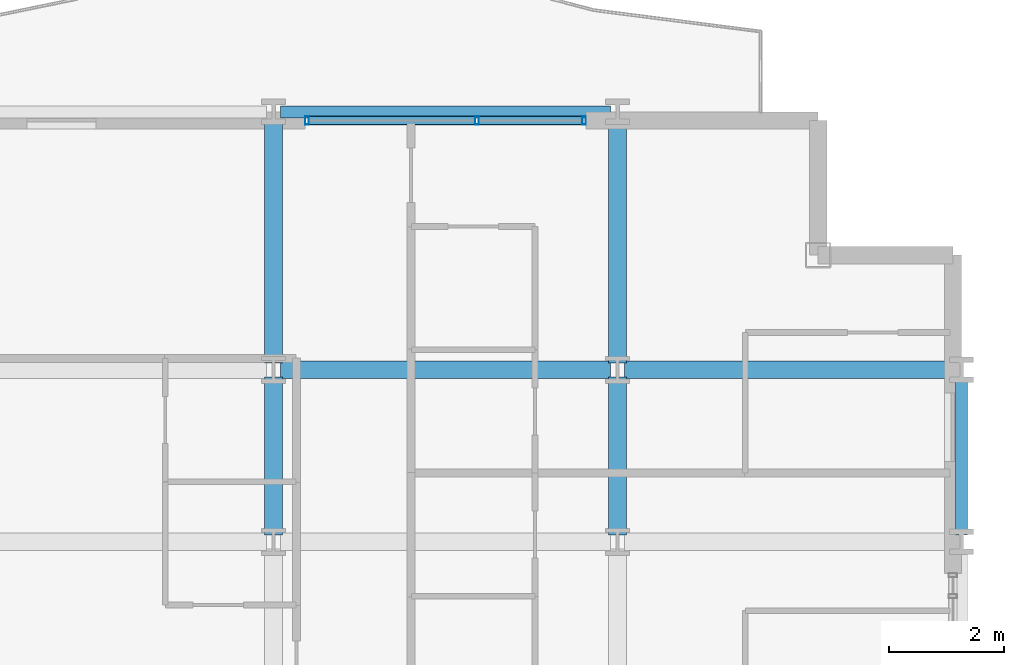
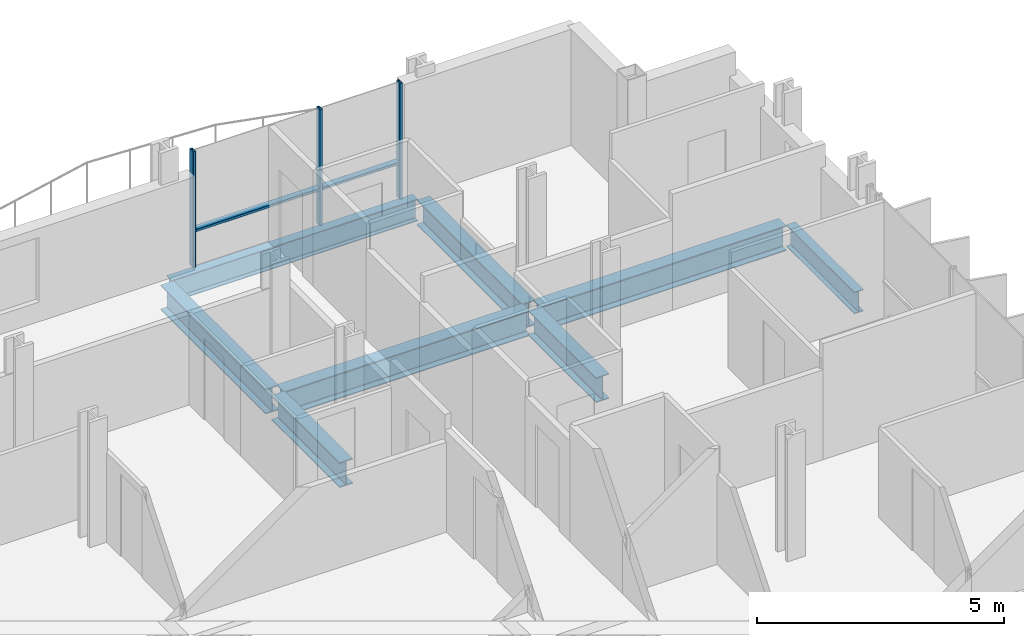
# One storey, part 20 of 39: 8 beams, 5 members, 1 element without a shape of its own.
"""IFC4 building model written with IfcOpenShell, lengths in metres."""

from ifc_helpers import new_model, si_unit, direction, frame, origin, origin_2d, place, context, subcontext, project, spatial, hollow_rectangle, i_section, extrude, material, layer, layer_set, material_profile, profile_set, type_object, element, aggregate, save


model = new_model("IFC4")

# Units and contexts
model_context = context("Model", 3, precision=1e-05, world=origin(), true_north=direction((0.0, 1.0)))
body_context = subcontext(model_context, "Body", "Model", "MODEL_VIEW")
ifc_project = project(units=[si_unit("LENGTHUNIT", "METRE"), si_unit("AREAUNIT", "SQUARE_METRE"), si_unit("VOLUMEUNIT", "CUBIC_METRE"), si_unit("PLANEANGLEUNIT", "RADIAN"), si_unit("MASSUNIT", "GRAM", prefix="KILO")], contexts=[model_context])

# Site, building, storey
site_placement = place(None, origin())
site = spatial("IfcSite", under=ifc_project, at=site_placement, CompositionType="ELEMENT")
building_placement = place(site_placement, origin())
building = spatial("IfcBuilding", under=site, at=building_placement, Name="Brevholm Reach", CompositionType="ELEMENT")
storey_placement = place(building_placement, frame((0.0, 0.0, 34.199951171875)))
storey = spatial("IfcBuildingStorey", under=building, at=storey_placement, Name="L08", CompositionType="ELEMENT", Elevation=34.199951171875)

# Beams
ifc_material_1 = material(Name="Structural Steel S355J2", Category="steel")
ifc_material_profile_1 = material_profile(ifc_material_1, i_section(OverallWidth=0.210693359375, OverallDepth=0.53955078125, WebThickness=0.01171875, FlangeThickness=0.018798828125, FilletRadius=0.0126953125, at=origin_2d()), Name="UKB 533x210x109")
ifc_profile_set_1 = profile_set([ifc_material_profile_1], Name="Structural Steel S355J2")
beam_type_1 = type_object("IfcBeamType", Name="BM-SP539", PredefinedType="SPANDREL", material=ifc_profile_set_1)
beam_1_placement = place(storey_placement, frame((48.1201171875, 31.0, -0.499755859375), z_axis=(1.0, 0.0, 0.0), x_axis=(0.0, 1.0, 0.0)))
element("IfcBeam", 1, at=beam_1_placement, inside=storey, type_object=beam_type_1, Name="L08 SP-01B Framing Beam", PredefinedType="SPANDREL", context=body_context, shape_type="SweptSolid", body=[
    extrude(i_section(OverallWidth=0.210693359375, OverallDepth=0.53955078125, WebThickness=0.01171875, FlangeThickness=0.018798828125, FilletRadius=0.0126953125, at=origin_2d()), origin(), (0.0, 0.0, 1.0), 5.759765625),
])
beam_2_placement = place(storey_placement, frame((60.0, 23.6201171875, -0.499755859375), z_axis=(0.0, 1.0, 0.0), x_axis=(-1.0, 0.0, 0.0)))
element("IfcBeam", 2, at=beam_2_placement, inside=storey, type_object=beam_type_1, Name="L08 SP-01B Framing Beam", PredefinedType="SPANDREL", context=body_context, shape_type="SweptSolid", body=[
    extrude(i_section(OverallWidth=0.210693359375, OverallDepth=0.53955078125, WebThickness=0.01171875, FlangeThickness=0.018798828125, FilletRadius=0.0126953125, at=origin_2d()), origin(), (0.0, 0.0, 1.0), 2.759765625),
])
ifc_material_2 = material(Name="Structural Steel S355J2", Category="steel")
ifc_material_profile_2 = material_profile(ifc_material_2, i_section(OverallWidth=0.30712890625, OverallDepth=0.6201171875, WebThickness=0.01416015625, FlangeThickness=0.023681640625, FilletRadius=0.0166015625, at=origin_2d()), Name="UKB 610x305x179")
ifc_profile_set_2 = profile_set([ifc_material_profile_2], Name="Structural Steel S355J2")
beam_type_2 = type_object("IfcBeamType", Name="BM-UKB610H", PredefinedType="USERDEFINED", material=ifc_profile_set_2)
for number, where, z_axis, x_axis, name in (
    (3, (48.1201171875, 26.5, -0.5400390625), (1.0, 0.0, 0.0), (0.0, 1.0, 0.0), "L08 G-06 Framing Beam"),
    (4, (54.1201171875, 26.5, -0.5400390625), (1.0, 0.0, 0.0), (0.0, 1.0, 0.0), "L08 G-06 Framing Beam"),
):
    element("IfcBeam", number, at=place(storey_placement, frame(where, z_axis=z_axis, x_axis=x_axis)), inside=storey, type_object=beam_type_2, Name=name, ObjectType="GIRDER", PredefinedType="USERDEFINED", context=body_context, shape_type="SweptSolid", body=[
        extrude(i_section(OverallWidth=0.30712890625, OverallDepth=0.6201171875, WebThickness=0.01416015625, FlangeThickness=0.023681640625, FilletRadius=0.0166015625, at=origin_2d()), origin(), (0.0, 0.0, 1.0), 5.759765625),
    ])
beam_3_placement = place(storey_placement, frame((48.0, 23.6201171875, -0.5400390625), z_axis=(0.0, 1.0, 0.0), x_axis=(-1.0, 0.0, 0.0)))
element("IfcBeam", 5, at=beam_3_placement, inside=storey, type_object=beam_type_2, Name="L08 G-06 Framing Beam", ObjectType="GIRDER", PredefinedType="USERDEFINED", context=body_context, shape_type="SweptSolid", body=[
    extrude(i_section(OverallWidth=0.30712890625, OverallDepth=0.6201171875, WebThickness=0.01416015625, FlangeThickness=0.023681640625, FilletRadius=0.0166015625, at=origin_2d()), origin(), (0.0, 0.0, 1.0), 2.759765625),
])
beam_4_placement = place(storey_placement, frame((48.0, 26.6201171875, -0.5400390625), z_axis=(0.0, 1.0, 0.0), x_axis=(-1.0, 0.0, 0.0)))
element("IfcBeam", 6, at=beam_4_placement, inside=storey, type_object=beam_type_2, Name="L08 G-06 Framing Beam", ObjectType="GIRDER", PredefinedType="USERDEFINED", context=body_context, shape_type="SweptSolid", body=[
    extrude(i_section(OverallWidth=0.30712890625, OverallDepth=0.6201171875, WebThickness=0.01416015625, FlangeThickness=0.023681640625, FilletRadius=0.0166015625, at=origin_2d()), origin(), (0.0, 0.0, 1.0), 4.259765625),
])
beam_5_placement = place(storey_placement, frame((54.0, 23.6201171875, -0.5400390625), z_axis=(0.0, 1.0, 0.0), x_axis=(-1.0, 0.0, 0.0)))
element("IfcBeam", 7, at=beam_5_placement, inside=storey, type_object=beam_type_2, Name="L08 G-06 Framing Beam", ObjectType="GIRDER", PredefinedType="USERDEFINED", context=body_context, shape_type="SweptSolid", body=[
    extrude(i_section(OverallWidth=0.30712890625, OverallDepth=0.6201171875, WebThickness=0.01416015625, FlangeThickness=0.023681640625, FilletRadius=0.0166015625, at=origin_2d()), origin(), (0.0, 0.0, 1.0), 2.759765625),
])
beam_6_placement = place(storey_placement, frame((54.0, 26.6201171875, -0.5400390625), z_axis=(0.0, 1.0, 0.0), x_axis=(-1.0, 0.0, 0.0)))
element("IfcBeam", 8, at=beam_6_placement, inside=storey, type_object=beam_type_2, Name="L08 G-06 Framing Beam", ObjectType="GIRDER", PredefinedType="USERDEFINED", context=body_context, shape_type="SweptSolid", body=[
    extrude(i_section(OverallWidth=0.30712890625, OverallDepth=0.6201171875, WebThickness=0.01416015625, FlangeThickness=0.023681640625, FilletRadius=0.0166015625, at=origin_2d()), origin(), (0.0, 0.0, 1.0), 4.259765625),
])

# Curtain wall, members
ifc_material_3 = material(Name="Dark Anodised Aluminium 6063-T6 and Solar-Control Glass", Category="aluminium")
ifc_layer = layer(ifc_material_3, 0.14990234375)
ifc_layer_set = layer_set([ifc_layer], Name="Dark Anodised Aluminium 6063-T6 and Solar-Control Glass")
curtain_wall_type = type_object("IfcCurtainWallType", Name="CW-01", PredefinedType="NOTDEFINED", material=ifc_layer_set)
curtain_wall_placement = place(storey_placement, origin())
curtain_wall = element("IfcCurtainWall", 9, at=curtain_wall_placement, inside=storey, type_object=curtain_wall_type, Name="L08 Curtain Wall CW-01", PredefinedType="NOTDEFINED")
ifc_material_4 = material(Name="Dark Anodised Aluminium 6063-T6", Category="aluminium")
ifc_material_profile_3 = material_profile(ifc_material_4, hollow_rectangle(XDim=0.06494140625, YDim=0.14990234375, WallThickness=0.0048828125, InnerFilletRadius=0.0048828125, OuterFilletRadius=0.010009765625, at=origin_2d()), Name="RHS 150x65x5")
ifc_profile_set_3 = profile_set([ifc_material_profile_3], Name="Dark Anodised Aluminium 6063-T6")
member_type_1 = type_object("IfcMemberType", Name="CWM-150", PredefinedType="MULLION", material=ifc_profile_set_3)
member_1_placement = place(storey_placement, frame((48.58251953125, 30.85009765625, 0.0), z_axis=(0.0, 0.0, 1.0), x_axis=(1.0, 0.0, 0.0)))
member_1 = element("IfcMember", 10, at=member_1_placement, type_object=member_type_1, Name="CM-150 Mullion 1", PredefinedType="MULLION", context=body_context, shape_type="SweptSolid", body=[
    extrude(hollow_rectangle(XDim=0.06494140625, YDim=0.14990234375, WallThickness=0.0048828125, InnerFilletRadius=0.0048828125, OuterFilletRadius=0.010009765625, at=origin_2d()), origin(), (0.0, 0.0, 1.0), 2.8701171875),
])
member_2_placement = place(storey_placement, frame((51.550048828125, 30.85009765625, 0.0), z_axis=(0.0, 0.0, 1.0), x_axis=(1.0, 0.0, 0.0)))
member_2 = element("IfcMember", 11, at=member_2_placement, type_object=member_type_1, Name="CM-150 Mullion 2", PredefinedType="MULLION", context=body_context, shape_type="SweptSolid", body=[
    extrude(hollow_rectangle(XDim=0.06494140625, YDim=0.14990234375, WallThickness=0.0048828125, InnerFilletRadius=0.0048828125, OuterFilletRadius=0.010009765625, at=origin_2d()), origin(), (0.0, 0.0, 1.0), 2.8701171875),
])
member_3_placement = place(storey_placement, frame((53.41748046875, 30.85009765625, 0.0), z_axis=(0.0, 0.0, 1.0), x_axis=(1.0, 0.0, 0.0)))
member_3 = element("IfcMember", 12, at=member_3_placement, type_object=member_type_1, Name="CM-150 Mullion 3", PredefinedType="MULLION", context=body_context, shape_type="SweptSolid", body=[
    extrude(hollow_rectangle(XDim=0.06494140625, YDim=0.14990234375, WallThickness=0.0048828125, InnerFilletRadius=0.0048828125, OuterFilletRadius=0.010009765625, at=origin_2d()), origin(), (0.0, 0.0, 1.0), 2.8701171875),
])
ifc_material_5 = material(Name="Dark Anodised Aluminium 6063-T6", Category="aluminium")
ifc_material_profile_4 = material_profile(ifc_material_5, hollow_rectangle(XDim=0.06494140625, YDim=0.14990234375, WallThickness=0.0048828125, InnerFilletRadius=0.0048828125, OuterFilletRadius=0.010009765625, at=origin_2d()), Name="RHS 150x65x5")
ifc_profile_set_4 = profile_set([ifc_material_profile_4], Name="Dark Anodised Aluminium 6063-T6")
member_type_2 = type_object("IfcMemberType", Name="CWT-150", PredefinedType="NOTDEFINED", material=ifc_profile_set_4)
member_4_placement = place(storey_placement, frame((48.614990234375, 30.85009765625, 0.900146484375), z_axis=(1.0, 0.0, 0.0), x_axis=(0.0, 0.0, 1.0)))
member_4 = element("IfcMember", 13, at=member_4_placement, type_object=member_type_2, Name="CT-150 Transom 1.1", ObjectType="TRANSOM", PredefinedType="USERDEFINED", context=body_context, shape_type="SweptSolid", body=[
    extrude(hollow_rectangle(XDim=0.06494140625, YDim=0.14990234375, WallThickness=0.0048828125, InnerFilletRadius=0.0048828125, OuterFilletRadius=0.010009765625, at=origin_2d()), origin(), (0.0, 0.0, 1.0), 2.902587890625),
])
member_5_placement = place(storey_placement, frame((51.58251953125, 30.85009765625, 0.900146484375), z_axis=(1.0, 0.0, 0.0), x_axis=(0.0, 0.0, 1.0)))
member_5 = element("IfcMember", 14, at=member_5_placement, type_object=member_type_2, Name="CT-150 Transom 2.1", ObjectType="TRANSOM", PredefinedType="USERDEFINED", context=body_context, shape_type="SweptSolid", body=[
    extrude(hollow_rectangle(XDim=0.06494140625, YDim=0.14990234375, WallThickness=0.0048828125, InnerFilletRadius=0.0048828125, OuterFilletRadius=0.010009765625, at=origin_2d()), origin(), (0.0, 0.0, 1.0), 1.802490234375),
])
aggregate(curtain_wall, [member_1, member_2, member_3, member_4, member_5])

save(model, "model.ifc")
